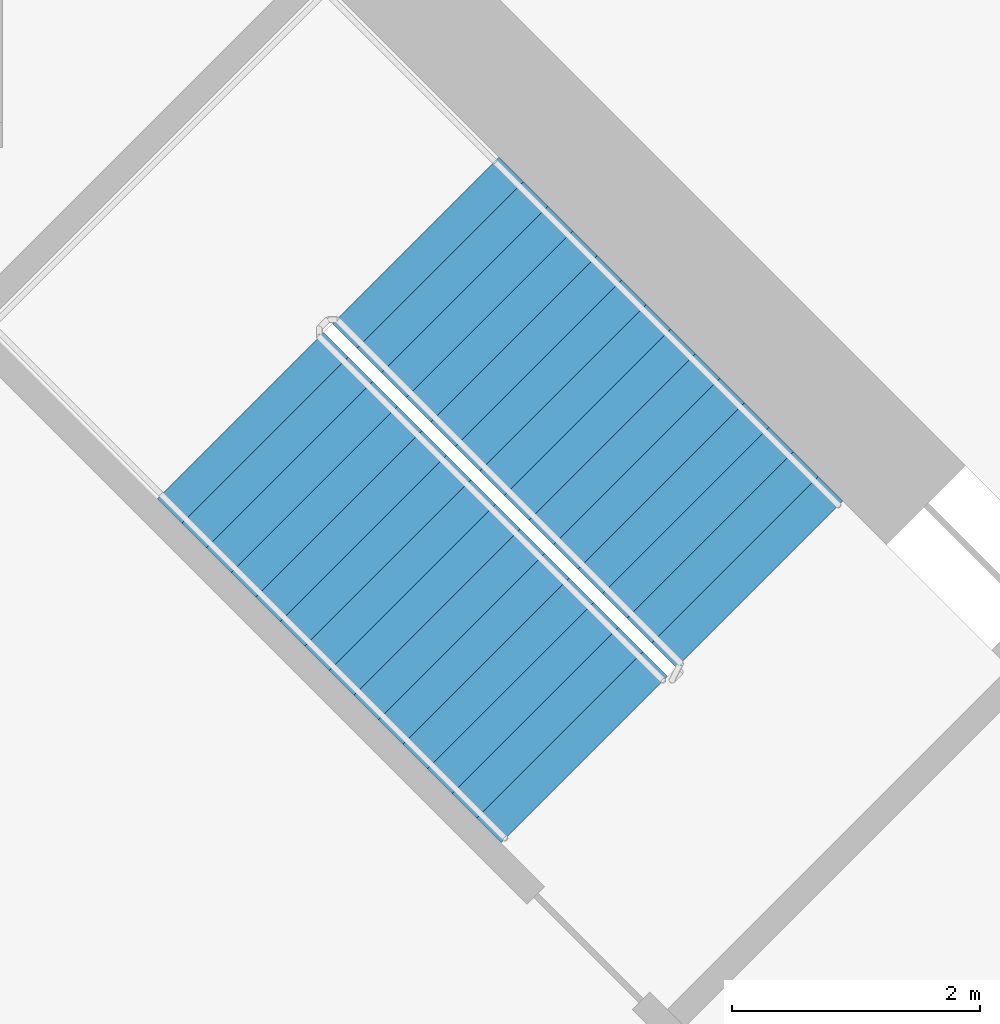
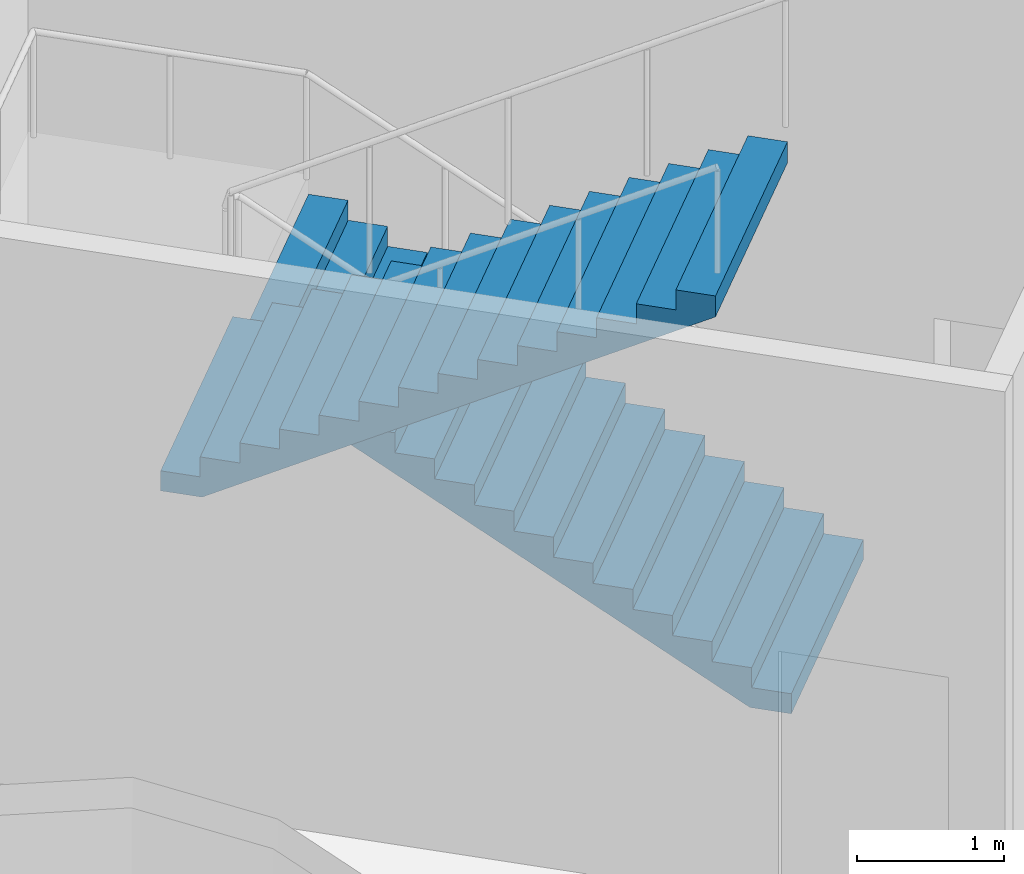
# One storey, part 14 of 24: 2 stair flights, 1 element without a shape of its own.
"""IFC4 building model written with IfcOpenShell, lengths in metres."""

from ifc_helpers import new_model, si_unit, direction, frame, origin, place, context, subcontext, project, spatial, triangles, material, type_object, element, aggregate, save


model = new_model("IFC4")

# Units and contexts
model_context = context("Model", 3, precision=1e-05, world=origin(), true_north=direction((0.0, 1.0)))
body_context = subcontext(model_context, "Body", "Model", "MODEL_VIEW")
ifc_project = project(units=[si_unit("LENGTHUNIT", "METRE"), si_unit("AREAUNIT", "SQUARE_METRE"), si_unit("VOLUMEUNIT", "CUBIC_METRE"), si_unit("PLANEANGLEUNIT", "RADIAN"), si_unit("MASSUNIT", "GRAM", prefix="KILO")], contexts=[model_context])

# Site, building, storey
site_placement = place(None, origin())
site = spatial("IfcSite", under=ifc_project, at=site_placement, CompositionType="ELEMENT")
building_placement = place(site_placement, origin())
building = spatial("IfcBuilding", under=site, at=building_placement, Name="Verdalira Terraces Hotel", CompositionType="ELEMENT")
storey_placement = place(building_placement, frame((0.0, 0.0, 14.0)))
storey = spatial("IfcBuildingStorey", under=building, at=storey_placement, Name="L02", CompositionType="ELEMENT", Elevation=14.0)

# Stair, stair flights
ifc_material_1 = material(Name="Concrete C40", Category="concrete")
stair_type = type_object("IfcStairType", Name="Core stair 30 risers 1900 mm wide", PredefinedType="HALF_TURN_STAIR", material=ifc_material_1)
stair_placement = place(storey_placement, origin())
stair = element("IfcStair", 1, at=stair_placement, inside=storey, type_object=stair_type, Name="L02 Exit stair ST1", PredefinedType="HALF_TURN_STAIR")
ifc_material_2 = material(Name="Concrete C40", Category="concrete")
stair_flight_type = type_object("IfcStairFlightType", Name="Core stair flight 30 risers 1900 mm wide", PredefinedType="STRAIGHT", material=ifc_material_2)
stair_flight_1_placement = place(storey_placement, frame((10.005615, 7.177246, 0.0), z_axis=(0.0, 0.0, 1.0), x_axis=(-0.707106781, 0.707106781, 0.0)))
stair_flight_1 = element("IfcStairFlight", 2, at=stair_flight_1_placement, type_object=stair_flight_type, Name="ST1 flight 1", NumberOfRisers=15, NumberOfTreads=14, PredefinedType="STRAIGHT", RiserHeight=0.166666667, TreadLength=0.28, context=body_context, shape_type="Tessellation", body=[
    triangles([(0.0, 0.949951, 0.0), (0.292969, 0.949951, 0.0), (3.919922, 0.949951, 2.158936), (0.0, -0.949951, 0.0), (0.292969, -0.949951, 0.0), (3.919922, -0.949951, 2.158936), (3.919922, 0.949951, 2.333252), (3.639893, 0.949951, 2.333252), (3.919922, -0.949951, 2.333252), (3.639893, -0.949951, 2.333252), (3.639893, 0.949951, 2.166748), (3.639893, -0.949951, 2.166748), (3.360107, 0.949951, 2.166748), (3.360107, -0.949951, 2.166748), (3.360107, 0.949951, 2.0), (3.360107, -0.949951, 2.0), (3.080078, 0.949951, 2.0), (3.080078, 0.949951, 1.833252), (3.080078, -0.949951, 2.0), (3.080078, -0.949951, 1.833252), (2.800049, 0.949951, 1.833252), (2.800049, 0.949951, 1.666748), (2.800049, -0.949951, 1.833252), (2.800049, -0.949951, 1.666748), (2.52002, 0.949951, 1.666748), (2.52002, 0.949951, 1.5), (2.52002, -0.949951, 1.666748), (2.52002, -0.949951, 1.5), (2.23999, 0.949951, 1.5), (2.23999, 0.949951, 1.333252), (2.23999, -0.949951, 1.5), (2.23999, -0.949951, 1.333252), (1.959961, 0.949951, 1.333252), (1.959961, 0.949951, 1.166748), (1.959961, -0.949951, 1.333252), (1.959961, -0.949951, 1.166748), (1.679932, 0.949951, 1.166748), (1.679932, 0.949951, 1.0), (1.679932, -0.949951, 1.166748), (1.679932, -0.949951, 1.0), (1.399902, 0.949951, 1.0), (1.399902, 0.949951, 0.833252), (1.399902, -0.949951, 1.0), (1.399902, -0.949951, 0.833252), (1.120117, 0.949951, 0.833252), (1.120117, 0.949951, 0.666748), (1.120117, -0.949951, 0.833252), (1.120117, -0.949951, 0.666748), (0.840088, 0.949951, 0.666748), (0.840088, 0.949951, 0.5), (0.840088, -0.949951, 0.666748), (0.840088, -0.949951, 0.5), (0.560059, 0.949951, 0.5), (0.560059, 0.949951, 0.333252), (0.560059, -0.949951, 0.5), (0.560059, -0.949951, 0.333252), (0.280029, 0.949951, 0.333252), (0.280029, 0.949951, 0.166748), (0.280029, -0.949951, 0.333252), (0.280029, -0.949951, 0.166748), (0.0, 0.949951, 0.166748), (0.0, -0.949951, 0.166748), (0.0, -0.890579, 0.0), (0.0, -0.890579, 0.166748), (0.0, -0.831207, 0.0), (0.0, -0.831207, 0.166748), (0.0, -0.771835, 0.0), (0.0, -0.771835, 0.166748), (0.0, -0.712463, 0.0), (0.0, -0.712463, 0.166748), (0.0, -0.653091, 0.0), (0.0, -0.653091, 0.166748), (0.0, -0.593719, 0.0), (0.0, -0.593719, 0.166748), (0.0, -0.534348, 0.0), (0.0, -0.534348, 0.166748), (0.0, -0.474976, 0.0), (0.0, -0.474976, 0.166748), (0.0, -0.415604, 0.0), (0.0, -0.415604, 0.166748), (0.0, -0.356232, 0.0), (0.0, -0.356232, 0.166748), (0.0, -0.29686, 0.0), (0.0, -0.29686, 0.166748), (0.0, -0.237488, 0.0), (0.0, -0.237488, 0.166748), (0.0, -0.178116, 0.0), (0.0, -0.178116, 0.166748), (0.0, -0.118744, 0.0), (0.0, -0.118744, 0.166748), (0.0, -0.059372, 0.0), (0.0, -0.059372, 0.166748), (0.0, 0.0, 0.0), (0.0, 0.0, 0.166748), (0.0, 0.059372, 0.0), (0.0, 0.059372, 0.166748), (0.0, 0.118744, 0.0), (0.0, 0.118744, 0.166748), (0.0, 0.178116, 0.0), (0.0, 0.178116, 0.166748), (0.0, 0.237488, 0.0), (0.0, 0.237488, 0.166748), (0.0, 0.29686, 0.0), (0.0, 0.29686, 0.166748), (0.0, 0.356232, 0.0), (0.0, 0.356232, 0.166748), (0.0, 0.415604, 0.0), (0.0, 0.415604, 0.166748), (0.0, 0.474976, 0.0), (0.0, 0.474976, 0.166748), (0.0, 0.534348, 0.0), (0.0, 0.534348, 0.166748), (0.0, 0.593719, 0.0), (0.0, 0.593719, 0.166748), (0.0, 0.653091, 0.0), (0.0, 0.653091, 0.166748), (0.0, 0.712463, 0.0), (0.0, 0.712463, 0.166748), (0.0, 0.771835, 0.0), (0.0, 0.771835, 0.166748), (0.0, 0.831207, 0.0), (0.0, 0.831207, 0.166748), (0.0, 0.890579, 0.0), (0.0, 0.890579, 0.166748), (3.919922, -0.890579, 2.333252), (3.919922, -0.831207, 2.333252), (3.919922, -0.771835, 2.333252), (3.919922, -0.712463, 2.333252), (3.919922, -0.653091, 2.333252), (3.919922, -0.593719, 2.333252), (3.919922, -0.534348, 2.333252), (3.919922, -0.474976, 2.333252), (3.919922, -0.415604, 2.333252), (3.919922, -0.356232, 2.333252), (3.919922, -0.29686, 2.333252), (3.919922, -0.237488, 2.333252), (3.919922, -0.178116, 2.333252), (3.919922, -0.118744, 2.333252), (3.919922, -0.059372, 2.333252), (3.919922, 0.0, 2.333252), (3.919922, 0.059372, 2.333252), (3.919922, 0.118744, 2.333252), (3.919922, 0.178116, 2.333252), (3.919922, 0.237488, 2.333252), (3.919922, 0.29686, 2.333252), (3.919922, 0.356232, 2.333252), (3.919922, 0.415604, 2.333252), (3.919922, 0.474976, 2.333252), (3.919922, 0.534348, 2.333252), (3.919922, 0.593719, 2.333252), (3.919922, 0.653091, 2.333252), (3.919922, 0.712463, 2.333252), (3.919922, 0.771835, 2.333252), (3.919922, 0.831207, 2.333252), (3.919922, 0.890579, 2.333252), (3.919922, -0.890579, 2.158936), (3.919922, -0.831207, 2.158936), (3.919922, -0.771835, 2.158936), (3.919922, -0.712463, 2.158936), (3.919922, -0.653091, 2.158936), (3.919922, -0.593719, 2.158936), (3.919922, -0.534348, 2.158936), (3.919922, -0.474976, 2.158936), (3.919922, -0.415604, 2.158936), (3.919922, -0.356232, 2.158936), (3.919922, -0.29686, 2.158936), (3.919922, -0.237488, 2.158936), (3.919922, -0.178116, 2.158936), (3.919922, -0.118744, 2.158936), (3.919922, -0.059372, 2.158936), (3.919922, 0.0, 2.158936), (3.919922, 0.059372, 2.158936), (3.919922, 0.118744, 2.158936), (3.919922, 0.178116, 2.158936), (3.919922, 0.237488, 2.158936), (3.919922, 0.29686, 2.158936), (3.919922, 0.356232, 2.158936), (3.919922, 0.415604, 2.158936), (3.919922, 0.474976, 2.158936), (3.919922, 0.534348, 2.158936), (3.919922, 0.593719, 2.158936), (3.919922, 0.653091, 2.158936), (3.919922, 0.712463, 2.158936), (3.919922, 0.771835, 2.158936), (3.919922, 0.831207, 2.158936), (3.919922, 0.890579, 2.158936)], [[1, 3, 2], [4, 5, 6], [3, 8, 7], [6, 9, 10], [3, 11, 8], [6, 10, 12], [3, 13, 11], [6, 12, 14], [3, 15, 13], [6, 14, 16], [15, 18, 17], [16, 19, 20], [3, 18, 15], [6, 16, 20], [18, 22, 21], [20, 23, 24], [3, 22, 18], [6, 20, 24], [22, 26, 25], [24, 27, 28], [3, 26, 22], [6, 24, 28], [26, 30, 29], [28, 31, 32], [3, 30, 26], [6, 28, 32], [30, 34, 33], [32, 35, 36], [3, 34, 30], [6, 32, 36], [34, 38, 37], [36, 39, 40], [3, 38, 34], [6, 36, 40], [38, 42, 41], [40, 43, 44], [3, 42, 38], [6, 40, 44], [42, 46, 45], [44, 47, 48], [3, 46, 42], [6, 44, 48], [46, 50, 49], [48, 51, 52], [3, 50, 46], [6, 48, 52], [50, 54, 53], [52, 55, 56], [3, 54, 50], [6, 52, 56], [1, 54, 3], [4, 6, 56], [54, 58, 57], [56, 59, 60], [1, 58, 54], [4, 56, 60], [58, 1, 61], [60, 62, 4], [4, 64, 63], [4, 62, 64], [63, 66, 65], [63, 64, 66], [65, 68, 67], [65, 66, 68], [67, 70, 69], [67, 68, 70], [69, 72, 71], [69, 70, 72], [71, 74, 73], [71, 72, 74], [73, 76, 75], [73, 74, 76], [75, 78, 77], [75, 76, 78], [77, 80, 79], [77, 78, 80], [79, 82, 81], [79, 80, 82], [81, 84, 83], [81, 82, 84], [83, 86, 85], [83, 84, 86], [85, 88, 87], [85, 86, 88], [87, 90, 89], [87, 88, 90], [89, 92, 91], [89, 90, 92], [91, 94, 93], [91, 92, 94], [93, 96, 95], [93, 94, 96], [95, 98, 97], [95, 96, 98], [97, 100, 99], [97, 98, 100], [99, 102, 101], [99, 100, 102], [101, 104, 103], [101, 102, 104], [103, 106, 105], [103, 104, 106], [105, 108, 107], [105, 106, 108], [107, 110, 109], [107, 108, 110], [109, 112, 111], [109, 110, 112], [111, 114, 113], [111, 112, 114], [113, 116, 115], [113, 114, 116], [115, 118, 117], [115, 116, 118], [117, 120, 119], [117, 118, 120], [119, 122, 121], [119, 120, 122], [121, 124, 123], [121, 122, 124], [123, 61, 1], [123, 124, 61], [62, 60, 64], [64, 60, 66], [66, 60, 68], [68, 60, 70], [70, 60, 72], [72, 60, 74], [74, 60, 76], [76, 60, 78], [78, 60, 80], [80, 60, 82], [82, 60, 84], [84, 60, 86], [86, 60, 88], [88, 60, 90], [90, 60, 92], [92, 60, 94], [94, 60, 96], [96, 60, 98], [98, 60, 100], [100, 60, 102], [102, 60, 104], [104, 60, 106], [106, 60, 108], [108, 60, 110], [110, 60, 112], [112, 60, 114], [114, 60, 116], [116, 60, 118], [118, 60, 120], [120, 60, 122], [122, 60, 124], [124, 60, 61], [61, 60, 58], [60, 57, 58], [60, 59, 57], [59, 54, 57], [59, 56, 54], [56, 53, 54], [56, 55, 53], [55, 50, 53], [55, 52, 50], [52, 49, 50], [52, 51, 49], [51, 46, 49], [51, 48, 46], [48, 45, 46], [48, 47, 45], [47, 42, 45], [47, 44, 42], [44, 41, 42], [44, 43, 41], [43, 38, 41], [43, 40, 38], [40, 37, 38], [40, 39, 37], [39, 34, 37], [39, 36, 34], [36, 33, 34], [36, 35, 33], [35, 30, 33], [35, 32, 30], [32, 29, 30], [32, 31, 29], [31, 26, 29], [31, 28, 26], [28, 25, 26], [28, 27, 25], [27, 22, 25], [27, 24, 22], [24, 21, 22], [24, 23, 21], [23, 18, 21], [23, 20, 18], [20, 17, 18], [20, 19, 17], [19, 15, 17], [19, 16, 15], [16, 13, 15], [16, 14, 13], [14, 11, 13], [14, 12, 11], [12, 8, 11], [12, 10, 8], [9, 125, 10], [125, 126, 10], [126, 127, 10], [127, 128, 10], [128, 129, 10], [129, 130, 10], [130, 131, 10], [131, 132, 10], [132, 133, 10], [133, 134, 10], [134, 135, 10], [135, 136, 10], [136, 137, 10], [137, 138, 10], [138, 139, 10], [139, 140, 10], [140, 141, 10], [141, 142, 10], [142, 143, 10], [143, 144, 10], [144, 145, 10], [145, 146, 10], [146, 147, 10], [147, 148, 10], [148, 149, 10], [149, 150, 10], [150, 151, 10], [151, 152, 10], [152, 153, 10], [153, 154, 10], [154, 155, 10], [155, 7, 10], [7, 8, 10], [9, 156, 125], [9, 6, 156], [125, 157, 126], [125, 156, 157], [126, 158, 127], [126, 157, 158], [127, 159, 128], [127, 158, 159], [128, 160, 129], [128, 159, 160], [129, 161, 130], [129, 160, 161], [130, 162, 131], [130, 161, 162], [131, 163, 132], [131, 162, 163], [132, 164, 133], [132, 163, 164], [133, 165, 134], [133, 164, 165], [134, 166, 135], [134, 165, 166], [135, 167, 136], [135, 166, 167], [136, 168, 137], [136, 167, 168], [137, 169, 138], [137, 168, 169], [138, 170, 139], [138, 169, 170], [139, 171, 140], [139, 170, 171], [140, 172, 141], [140, 171, 172], [141, 173, 142], [141, 172, 173], [142, 174, 143], [142, 173, 174], [143, 175, 144], [143, 174, 175], [144, 176, 145], [144, 175, 176], [145, 177, 146], [145, 176, 177], [146, 178, 147], [146, 177, 178], [147, 179, 148], [147, 178, 179], [148, 180, 149], [148, 179, 180], [149, 181, 150], [149, 180, 181], [150, 182, 151], [150, 181, 182], [151, 183, 152], [151, 182, 183], [152, 184, 153], [152, 183, 184], [153, 185, 154], [153, 184, 185], [154, 186, 155], [154, 185, 186], [155, 3, 7], [155, 186, 3], [6, 5, 156], [156, 5, 157], [157, 5, 158], [158, 5, 159], [159, 5, 160], [160, 5, 161], [161, 5, 162], [162, 5, 163], [163, 5, 164], [164, 5, 165], [165, 5, 166], [166, 5, 167], [167, 5, 168], [168, 5, 169], [169, 5, 170], [170, 5, 171], [171, 5, 172], [172, 5, 173], [173, 5, 174], [174, 5, 175], [175, 5, 176], [176, 5, 177], [177, 5, 178], [178, 5, 179], [179, 5, 180], [180, 5, 181], [181, 5, 182], [182, 5, 183], [183, 5, 184], [184, 5, 185], [185, 5, 186], [186, 5, 3], [3, 5, 2], [4, 63, 5], [63, 65, 5], [65, 67, 5], [67, 69, 5], [69, 71, 5], [71, 73, 5], [73, 75, 5], [75, 77, 5], [77, 79, 5], [79, 81, 5], [81, 83, 5], [83, 85, 5], [85, 87, 5], [87, 89, 5], [89, 91, 5], [91, 93, 5], [93, 95, 5], [95, 97, 5], [97, 99, 5], [99, 101, 5], [101, 103, 5], [103, 105, 5], [105, 107, 5], [107, 109, 5], [109, 111, 5], [111, 113, 5], [113, 115, 5], [115, 117, 5], [117, 119, 5], [119, 121, 5], [121, 123, 5], [123, 1, 5], [1, 2, 5]], closed=True),
])
stair_flight_2_placement = place(storey_placement, frame((5.81958, 8.534668, 2.5), z_axis=(0.0, 0.0, 1.0), x_axis=(0.707106781, -0.707106781, 0.0)))
stair_flight_2 = element("IfcStairFlight", 3, at=stair_flight_2_placement, type_object=stair_flight_type, Name="ST1 flight 2", NumberOfRisers=15, NumberOfTreads=14, PredefinedType="STRAIGHT", RiserHeight=0.166666667, TreadLength=0.28, context=body_context, shape_type="Tessellation", body=[
    triangles([(0.0, 0.949951, 0.0), (0.292969, 0.949951, 0.0), (3.919922, 0.949951, 2.158936), (0.0, -0.949951, 0.0), (0.292969, -0.949951, 0.0), (3.919922, -0.949951, 2.158936), (3.919922, 0.949951, 2.333252), (3.639893, 0.949951, 2.333252), (3.919922, -0.949951, 2.333252), (3.639893, -0.949951, 2.333252), (3.639893, 0.949951, 2.166748), (3.639893, -0.949951, 2.166748), (3.360107, 0.949951, 2.166748), (3.360107, -0.949951, 2.166748), (3.360107, 0.949951, 2.0), (3.360107, -0.949951, 2.0), (3.080078, 0.949951, 2.0), (3.080078, 0.949951, 1.833252), (3.080078, -0.949951, 2.0), (3.080078, -0.949951, 1.833252), (2.800049, 0.949951, 1.833252), (2.800049, 0.949951, 1.666748), (2.800049, -0.949951, 1.833252), (2.800049, -0.949951, 1.666748), (2.52002, 0.949951, 1.666748), (2.52002, 0.949951, 1.5), (2.52002, -0.949951, 1.666748), (2.52002, -0.949951, 1.5), (2.23999, 0.949951, 1.5), (2.23999, 0.949951, 1.333252), (2.23999, -0.949951, 1.5), (2.23999, -0.949951, 1.333252), (1.959961, 0.949951, 1.333252), (1.959961, 0.949951, 1.166748), (1.959961, -0.949951, 1.333252), (1.959961, -0.949951, 1.166748), (1.679932, 0.949951, 1.166748), (1.679932, 0.949951, 1.0), (1.679932, -0.949951, 1.166748), (1.679932, -0.949951, 1.0), (1.399902, 0.949951, 1.0), (1.399902, 0.949951, 0.833252), (1.399902, -0.949951, 1.0), (1.399902, -0.949951, 0.833252), (1.120117, 0.949951, 0.833252), (1.120117, 0.949951, 0.666748), (1.120117, -0.949951, 0.833252), (1.120117, -0.949951, 0.666748), (0.840088, 0.949951, 0.666748), (0.840088, 0.949951, 0.5), (0.840088, -0.949951, 0.666748), (0.840088, -0.949951, 0.5), (0.560059, 0.949951, 0.5), (0.560059, 0.949951, 0.333252), (0.560059, -0.949951, 0.5), (0.560059, -0.949951, 0.333252), (0.280029, 0.949951, 0.333252), (0.280029, 0.949951, 0.166748), (0.280029, -0.949951, 0.333252), (0.280029, -0.949951, 0.166748), (0.0, 0.949951, 0.166748), (0.0, -0.949951, 0.166748), (0.0, -0.890579, 0.0), (0.0, -0.890579, 0.166748), (0.0, -0.831207, 0.0), (0.0, -0.831207, 0.166748), (0.0, -0.771835, 0.0), (0.0, -0.771835, 0.166748), (0.0, -0.712463, 0.0), (0.0, -0.712463, 0.166748), (0.0, -0.653091, 0.0), (0.0, -0.653091, 0.166748), (0.0, -0.593719, 0.0), (0.0, -0.593719, 0.166748), (0.0, -0.534348, 0.0), (0.0, -0.534348, 0.166748), (0.0, -0.474976, 0.0), (0.0, -0.474976, 0.166748), (0.0, -0.415604, 0.0), (0.0, -0.415604, 0.166748), (0.0, -0.356232, 0.0), (0.0, -0.356232, 0.166748), (0.0, -0.29686, 0.0), (0.0, -0.29686, 0.166748), (0.0, -0.237488, 0.0), (0.0, -0.237488, 0.166748), (0.0, -0.178116, 0.0), (0.0, -0.178116, 0.166748), (0.0, -0.118744, 0.0), (0.0, -0.118744, 0.166748), (0.0, -0.059372, 0.0), (0.0, -0.059372, 0.166748), (0.0, 0.0, 0.0), (0.0, 0.0, 0.166748), (0.0, 0.059372, 0.0), (0.0, 0.059372, 0.166748), (0.0, 0.118744, 0.0), (0.0, 0.118744, 0.166748), (0.0, 0.178116, 0.0), (0.0, 0.178116, 0.166748), (0.0, 0.237488, 0.0), (0.0, 0.237488, 0.166748), (0.0, 0.29686, 0.0), (0.0, 0.29686, 0.166748), (0.0, 0.356232, 0.0), (0.0, 0.356232, 0.166748), (0.0, 0.415604, 0.0), (0.0, 0.415604, 0.166748), (0.0, 0.474976, 0.0), (0.0, 0.474976, 0.166748), (0.0, 0.534348, 0.0), (0.0, 0.534348, 0.166748), (0.0, 0.593719, 0.0), (0.0, 0.593719, 0.166748), (0.0, 0.653091, 0.0), (0.0, 0.653091, 0.166748), (0.0, 0.712463, 0.0), (0.0, 0.712463, 0.166748), (0.0, 0.771835, 0.0), (0.0, 0.771835, 0.166748), (0.0, 0.831207, 0.0), (0.0, 0.831207, 0.166748), (0.0, 0.890579, 0.0), (0.0, 0.890579, 0.166748), (3.919922, -0.890579, 2.333252), (3.919922, -0.831207, 2.333252), (3.919922, -0.771835, 2.333252), (3.919922, -0.712463, 2.333252), (3.919922, -0.653091, 2.333252), (3.919922, -0.593719, 2.333252), (3.919922, -0.534348, 2.333252), (3.919922, -0.474976, 2.333252), (3.919922, -0.415604, 2.333252), (3.919922, -0.356232, 2.333252), (3.919922, -0.29686, 2.333252), (3.919922, -0.237488, 2.333252), (3.919922, -0.178116, 2.333252), (3.919922, -0.118744, 2.333252), (3.919922, -0.059372, 2.333252), (3.919922, 0.0, 2.333252), (3.919922, 0.059372, 2.333252), (3.919922, 0.118744, 2.333252), (3.919922, 0.178116, 2.333252), (3.919922, 0.237488, 2.333252), (3.919922, 0.29686, 2.333252), (3.919922, 0.356232, 2.333252), (3.919922, 0.415604, 2.333252), (3.919922, 0.474976, 2.333252), (3.919922, 0.534348, 2.333252), (3.919922, 0.593719, 2.333252), (3.919922, 0.653091, 2.333252), (3.919922, 0.712463, 2.333252), (3.919922, 0.771835, 2.333252), (3.919922, 0.831207, 2.333252), (3.919922, 0.890579, 2.333252), (3.919922, -0.890579, 2.158936), (3.919922, -0.831207, 2.158936), (3.919922, -0.771835, 2.158936), (3.919922, -0.712463, 2.158936), (3.919922, -0.653091, 2.158936), (3.919922, -0.593719, 2.158936), (3.919922, -0.534348, 2.158936), (3.919922, -0.474976, 2.158936), (3.919922, -0.415604, 2.158936), (3.919922, -0.356232, 2.158936), (3.919922, -0.29686, 2.158936), (3.919922, -0.237488, 2.158936), (3.919922, -0.178116, 2.158936), (3.919922, -0.118744, 2.158936), (3.919922, -0.059372, 2.158936), (3.919922, 0.0, 2.158936), (3.919922, 0.059372, 2.158936), (3.919922, 0.118744, 2.158936), (3.919922, 0.178116, 2.158936), (3.919922, 0.237488, 2.158936), (3.919922, 0.29686, 2.158936), (3.919922, 0.356232, 2.158936), (3.919922, 0.415604, 2.158936), (3.919922, 0.474976, 2.158936), (3.919922, 0.534348, 2.158936), (3.919922, 0.593719, 2.158936), (3.919922, 0.653091, 2.158936), (3.919922, 0.712463, 2.158936), (3.919922, 0.771835, 2.158936), (3.919922, 0.831207, 2.158936), (3.919922, 0.890579, 2.158936)], [[1, 3, 2], [4, 5, 6], [3, 8, 7], [6, 9, 10], [3, 11, 8], [6, 10, 12], [3, 13, 11], [6, 12, 14], [3, 15, 13], [6, 14, 16], [15, 18, 17], [16, 19, 20], [3, 18, 15], [6, 16, 20], [18, 22, 21], [20, 23, 24], [3, 22, 18], [6, 20, 24], [22, 26, 25], [24, 27, 28], [3, 26, 22], [6, 24, 28], [26, 30, 29], [28, 31, 32], [3, 30, 26], [6, 28, 32], [30, 34, 33], [32, 35, 36], [3, 34, 30], [6, 32, 36], [34, 38, 37], [36, 39, 40], [3, 38, 34], [6, 36, 40], [38, 42, 41], [40, 43, 44], [3, 42, 38], [6, 40, 44], [42, 46, 45], [44, 47, 48], [3, 46, 42], [6, 44, 48], [46, 50, 49], [48, 51, 52], [3, 50, 46], [6, 48, 52], [50, 54, 53], [52, 55, 56], [3, 54, 50], [6, 52, 56], [1, 54, 3], [4, 6, 56], [54, 58, 57], [56, 59, 60], [1, 58, 54], [4, 56, 60], [58, 1, 61], [60, 62, 4], [4, 64, 63], [4, 62, 64], [63, 66, 65], [63, 64, 66], [65, 68, 67], [65, 66, 68], [67, 70, 69], [67, 68, 70], [69, 72, 71], [69, 70, 72], [71, 74, 73], [71, 72, 74], [73, 76, 75], [73, 74, 76], [75, 78, 77], [75, 76, 78], [77, 80, 79], [77, 78, 80], [79, 82, 81], [79, 80, 82], [81, 84, 83], [81, 82, 84], [83, 86, 85], [83, 84, 86], [85, 88, 87], [85, 86, 88], [87, 90, 89], [87, 88, 90], [89, 92, 91], [89, 90, 92], [91, 94, 93], [91, 92, 94], [93, 96, 95], [93, 94, 96], [95, 98, 97], [95, 96, 98], [97, 100, 99], [97, 98, 100], [99, 102, 101], [99, 100, 102], [101, 104, 103], [101, 102, 104], [103, 106, 105], [103, 104, 106], [105, 108, 107], [105, 106, 108], [107, 110, 109], [107, 108, 110], [109, 112, 111], [109, 110, 112], [111, 114, 113], [111, 112, 114], [113, 116, 115], [113, 114, 116], [115, 118, 117], [115, 116, 118], [117, 120, 119], [117, 118, 120], [119, 122, 121], [119, 120, 122], [121, 124, 123], [121, 122, 124], [123, 61, 1], [123, 124, 61], [62, 60, 64], [64, 60, 66], [66, 60, 68], [68, 60, 70], [70, 60, 72], [72, 60, 74], [74, 60, 76], [76, 60, 78], [78, 60, 80], [80, 60, 82], [82, 60, 84], [84, 60, 86], [86, 60, 88], [88, 60, 90], [90, 60, 92], [92, 60, 94], [94, 60, 96], [96, 60, 98], [98, 60, 100], [100, 60, 102], [102, 60, 104], [104, 60, 106], [106, 60, 108], [108, 60, 110], [110, 60, 112], [112, 60, 114], [114, 60, 116], [116, 60, 118], [118, 60, 120], [120, 60, 122], [122, 60, 124], [124, 60, 61], [61, 60, 58], [60, 57, 58], [60, 59, 57], [59, 54, 57], [59, 56, 54], [56, 53, 54], [56, 55, 53], [55, 50, 53], [55, 52, 50], [52, 49, 50], [52, 51, 49], [51, 46, 49], [51, 48, 46], [48, 45, 46], [48, 47, 45], [47, 42, 45], [47, 44, 42], [44, 41, 42], [44, 43, 41], [43, 38, 41], [43, 40, 38], [40, 37, 38], [40, 39, 37], [39, 34, 37], [39, 36, 34], [36, 33, 34], [36, 35, 33], [35, 30, 33], [35, 32, 30], [32, 29, 30], [32, 31, 29], [31, 26, 29], [31, 28, 26], [28, 25, 26], [28, 27, 25], [27, 22, 25], [27, 24, 22], [24, 21, 22], [24, 23, 21], [23, 18, 21], [23, 20, 18], [20, 17, 18], [20, 19, 17], [19, 15, 17], [19, 16, 15], [16, 13, 15], [16, 14, 13], [14, 11, 13], [14, 12, 11], [12, 8, 11], [12, 10, 8], [9, 125, 10], [125, 126, 10], [126, 127, 10], [127, 128, 10], [128, 129, 10], [129, 130, 10], [130, 131, 10], [131, 132, 10], [132, 133, 10], [133, 134, 10], [134, 135, 10], [135, 136, 10], [136, 137, 10], [137, 138, 10], [138, 139, 10], [139, 140, 10], [140, 141, 10], [141, 142, 10], [142, 143, 10], [143, 144, 10], [144, 145, 10], [145, 146, 10], [146, 147, 10], [147, 148, 10], [148, 149, 10], [149, 150, 10], [150, 151, 10], [151, 152, 10], [152, 153, 10], [153, 154, 10], [154, 155, 10], [155, 7, 10], [7, 8, 10], [9, 156, 125], [9, 6, 156], [125, 157, 126], [125, 156, 157], [126, 158, 127], [126, 157, 158], [127, 159, 128], [127, 158, 159], [128, 160, 129], [128, 159, 160], [129, 161, 130], [129, 160, 161], [130, 162, 131], [130, 161, 162], [131, 163, 132], [131, 162, 163], [132, 164, 133], [132, 163, 164], [133, 165, 134], [133, 164, 165], [134, 166, 135], [134, 165, 166], [135, 167, 136], [135, 166, 167], [136, 168, 137], [136, 167, 168], [137, 169, 138], [137, 168, 169], [138, 170, 139], [138, 169, 170], [139, 171, 140], [139, 170, 171], [140, 172, 141], [140, 171, 172], [141, 173, 142], [141, 172, 173], [142, 174, 143], [142, 173, 174], [143, 175, 144], [143, 174, 175], [144, 176, 145], [144, 175, 176], [145, 177, 146], [145, 176, 177], [146, 178, 147], [146, 177, 178], [147, 179, 148], [147, 178, 179], [148, 180, 149], [148, 179, 180], [149, 181, 150], [149, 180, 181], [150, 182, 151], [150, 181, 182], [151, 183, 152], [151, 182, 183], [152, 184, 153], [152, 183, 184], [153, 185, 154], [153, 184, 185], [154, 186, 155], [154, 185, 186], [155, 3, 7], [155, 186, 3], [6, 5, 156], [156, 5, 157], [157, 5, 158], [158, 5, 159], [159, 5, 160], [160, 5, 161], [161, 5, 162], [162, 5, 163], [163, 5, 164], [164, 5, 165], [165, 5, 166], [166, 5, 167], [167, 5, 168], [168, 5, 169], [169, 5, 170], [170, 5, 171], [171, 5, 172], [172, 5, 173], [173, 5, 174], [174, 5, 175], [175, 5, 176], [176, 5, 177], [177, 5, 178], [178, 5, 179], [179, 5, 180], [180, 5, 181], [181, 5, 182], [182, 5, 183], [183, 5, 184], [184, 5, 185], [185, 5, 186], [186, 5, 3], [3, 5, 2], [4, 63, 5], [63, 65, 5], [65, 67, 5], [67, 69, 5], [69, 71, 5], [71, 73, 5], [73, 75, 5], [75, 77, 5], [77, 79, 5], [79, 81, 5], [81, 83, 5], [83, 85, 5], [85, 87, 5], [87, 89, 5], [89, 91, 5], [91, 93, 5], [93, 95, 5], [95, 97, 5], [97, 99, 5], [99, 101, 5], [101, 103, 5], [103, 105, 5], [105, 107, 5], [107, 109, 5], [109, 111, 5], [111, 113, 5], [113, 115, 5], [115, 117, 5], [117, 119, 5], [119, 121, 5], [121, 123, 5], [123, 1, 5], [1, 2, 5]], closed=True),
])
aggregate(stair, [stair_flight_1, stair_flight_2])

save(model, "model.ifc")
